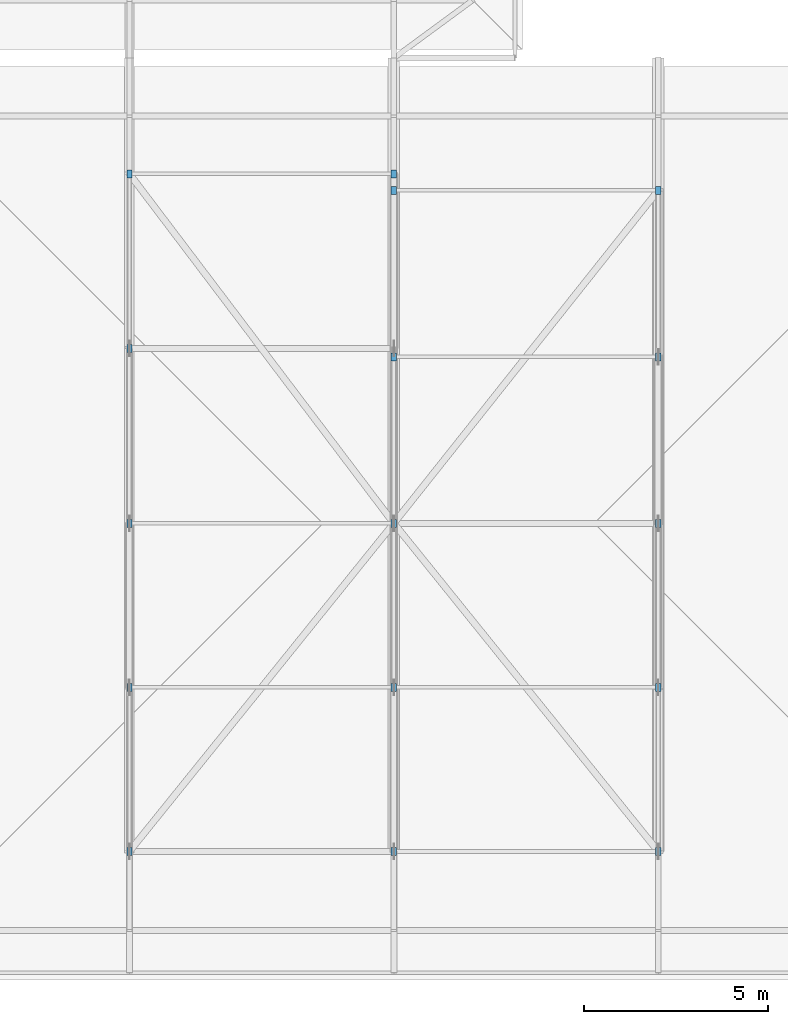
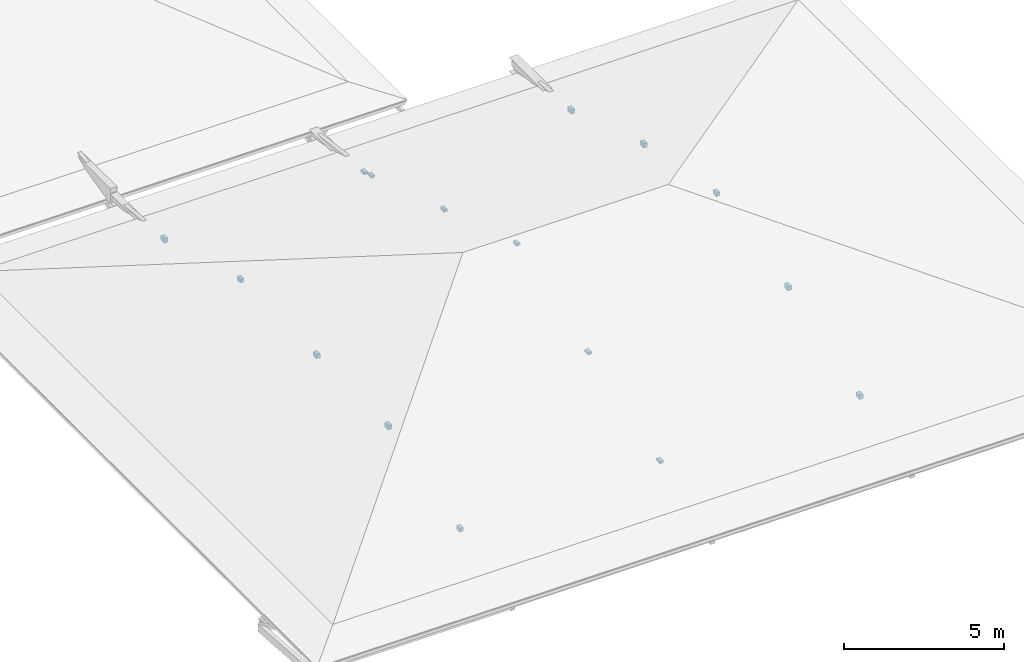
# One storey, part 10 of 19: 16 members.
"""IFC4 building model written with IfcOpenShell, lengths in metres."""

from ifc_helpers import new_model, si_unit, direction, frame, origin, origin_2d, place, context, subcontext, project, spatial, rectangle, extrude, material, material_profile, profile_set, type_object, element, save


model = new_model("IFC4")

# Units and contexts
model_context = context("Model", 3, precision=1e-05, world=origin(), true_north=direction((0.0, 1.0)))
body_context = subcontext(model_context, "Body", "Model", "MODEL_VIEW")
ifc_project = project(units=[si_unit("LENGTHUNIT", "METRE"), si_unit("AREAUNIT", "SQUARE_METRE"), si_unit("VOLUMEUNIT", "CUBIC_METRE"), si_unit("PLANEANGLEUNIT", "RADIAN"), si_unit("MASSUNIT", "GRAM", prefix="KILO")], contexts=[model_context])

# Site, building, storey
site_placement = place(None, origin())
site = spatial("IfcSite", under=ifc_project, at=site_placement, CompositionType="ELEMENT")
building_placement = place(site_placement, origin())
building = spatial("IfcBuilding", under=site, at=building_placement, Name="Steenspoor Specialist Clinic", CompositionType="ELEMENT")
storey_placement = place(building_placement, frame((0.0, 0.0, 21.60009765625)))
storey = spatial("IfcBuildingStorey", under=building, at=storey_placement, Name="L05", CompositionType="ELEMENT", Elevation=21.60009765625)

# Members
ifc_material = material(Name="Glulam GL28h", Category="wood")
ifc_material_profile = material_profile(ifc_material, rectangle(XDim=0.139892578125, YDim=0.219970703125, at=origin_2d()), Name="GL28H-140X220")
ifc_profile_set = profile_set([ifc_material_profile], Name="Glulam GL28h")
member_type = type_object("IfcMemberType", Name="MEM-RAFTER-GL220", PredefinedType="RAFTER", material=ifc_profile_set)
member_1_placement = place(storey_placement, frame((125.199951171875, 72.35009765625, 0.642333984375), z_axis=(0.0, 0.0, 1.0), x_axis=(1.0, 0.0, 0.0)))
element("IfcMember", 1, at=member_1_placement, inside=storey, type_object=member_type, Name="ROOF TRUSS Purlin Pack 537A", PredefinedType="RAFTER", context=body_context, shape_type="SweptSolid", body=[
    extrude(rectangle(XDim=0.139892578125, YDim=0.219970703125, at=origin_2d()), origin(), (0.0, 0.0, 1.0), 0.142333984375),
])
member_2_placement = place(storey_placement, frame((125.199951171875, 76.8173828125, 1.822021484375), z_axis=(0.0, 0.0, 1.0), x_axis=(1.0, 0.0, 0.0)))
element("IfcMember", 2, at=member_2_placement, inside=storey, type_object=member_type, Name="ROOF TRUSS Purlin Pack 538A", PredefinedType="RAFTER", context=body_context, shape_type="SweptSolid", body=[
    extrude(rectangle(XDim=0.139892578125, YDim=0.219970703125, at=origin_2d()), origin(), (0.0, 0.0, 1.0), 0.16650390625),
])
member_3_placement = place(storey_placement, frame((132.39990234375, 76.8173828125, 2.154541015625), z_axis=(0.0, 0.0, 1.0), x_axis=(1.0, 0.0, 0.0)))
element("IfcMember", 3, at=member_3_placement, inside=storey, type_object=member_type, Name="ROOF TRUSS Purlin Pack 538B", PredefinedType="RAFTER", context=body_context, shape_type="SweptSolid", body=[
    extrude(rectangle(XDim=0.139892578125, YDim=0.219970703125, at=origin_2d()), origin(), (0.0, 0.0, 1.0), 0.090576171875),
])
member_4_placement = place(storey_placement, frame((125.199951171875, 81.284912109375, 1.822021484375), z_axis=(0.0, 0.0, 1.0), x_axis=(1.0, 0.0, 0.0)))
element("IfcMember", 4, at=member_4_placement, inside=storey, type_object=member_type, Name="ROOF TRUSS Purlin Pack 539A", PredefinedType="RAFTER", context=body_context, shape_type="SweptSolid", body=[
    extrude(rectangle(XDim=0.139892578125, YDim=0.219970703125, at=origin_2d()), origin(), (0.0, 0.0, 1.0), 0.162841796875),
])
member_5_placement = place(storey_placement, frame((132.39990234375, 81.284912109375, 3.590576171875), z_axis=(0.0, 0.0, 1.0), x_axis=(1.0, 0.0, 0.0)))
element("IfcMember", 5, at=member_5_placement, inside=storey, type_object=member_type, Name="ROOF TRUSS Purlin Pack 539B", PredefinedType="RAFTER", context=body_context, shape_type="SweptSolid", body=[
    extrude(rectangle(XDim=0.139892578125, YDim=0.219970703125, at=origin_2d()), origin(), (0.0, 0.0, 1.0), 0.086669921875),
])
member_6_placement = place(storey_placement, frame((125.199951171875, 86.04248046875, 1.822021484375), z_axis=(0.0, 0.0, 1.0), x_axis=(1.0, 0.0, 0.0)))
element("IfcMember", 6, at=member_6_placement, inside=storey, type_object=member_type, Name="ROOF TRUSS Purlin Pack 540A", PredefinedType="RAFTER", context=body_context, shape_type="SweptSolid", body=[
    extrude(rectangle(XDim=0.139892578125, YDim=0.219970703125, at=origin_2d()), origin(), (0.0, 0.0, 1.0), 0.142333984375),
])
member_7_placement = place(storey_placement, frame((125.199951171875, 90.800048828125, 0.455810546875), z_axis=(0.0, 0.0, 1.0), x_axis=(1.0, 0.0, 0.0)))
element("IfcMember", 7, at=member_7_placement, inside=storey, type_object=member_type, Name="ROOF TRUSS Purlin Pack 541A", PredefinedType="RAFTER", context=body_context, shape_type="SweptSolid", body=[
    extrude(rectangle(XDim=0.139892578125, YDim=0.219970703125, at=origin_2d()), origin(), (0.0, 0.0, 1.0), 0.16650390625),
])
for number, where, z_axis, x_axis, name in (
    (8, (132.39990234375, 90.800048828125, 0.531982421875), (0.0, 0.0, 1.0), (1.0, 0.0, 0.0), "ROOF TRUSS Purlin Pack 541B"),
    (9, (132.39990234375, 72.35009765625, 0.718505859375), (0.0, 0.0, 1.0), (1.0, 0.0, 0.0), "ROOF TRUSS Purlin Pack 542A"),
):
    element("IfcMember", number, at=place(storey_placement, frame(where, z_axis=z_axis, x_axis=x_axis)), inside=storey, type_object=member_type, Name=name, PredefinedType="RAFTER", context=body_context, shape_type="SweptSolid", body=[
        extrude(rectangle(XDim=0.139892578125, YDim=0.219970703125, at=origin_2d()), origin(), (0.0, 0.0, 1.0), 0.09033203125),
    ])
member_8_placement = place(storey_placement, frame((139.60009765625, 72.35009765625, 0.642333984375), z_axis=(0.0, 0.0, 1.0), x_axis=(1.0, 0.0, 0.0)))
element("IfcMember", 10, at=member_8_placement, inside=storey, type_object=member_type, Name="ROOF TRUSS Purlin Pack 542B", PredefinedType="RAFTER", context=body_context, shape_type="SweptSolid", body=[
    extrude(rectangle(XDim=0.139892578125, YDim=0.219970703125, at=origin_2d()), origin(), (0.0, 0.0, 1.0), 0.16650390625),
])
member_9_placement = place(storey_placement, frame((139.60009765625, 76.8173828125, 2.078369140625), z_axis=(0.0, 0.0, 1.0), x_axis=(1.0, 0.0, 0.0)))
element("IfcMember", 11, at=member_9_placement, inside=storey, type_object=member_type, Name="ROOF TRUSS Purlin Pack 543B", PredefinedType="RAFTER", context=body_context, shape_type="SweptSolid", body=[
    extrude(rectangle(XDim=0.139892578125, YDim=0.219970703125, at=origin_2d()), origin(), (0.0, 0.0, 1.0), 0.162841796875),
])
member_10_placement = place(storey_placement, frame((139.60009765625, 81.284912109375, 2.956787109375), z_axis=(0.0, 0.0, 1.0), x_axis=(1.0, 0.0, 0.0)))
element("IfcMember", 12, at=member_10_placement, inside=storey, type_object=member_type, Name="ROOF TRUSS Purlin Pack 544B", PredefinedType="RAFTER", context=body_context, shape_type="SweptSolid", body=[
    extrude(rectangle(XDim=0.139892578125, YDim=0.219970703125, at=origin_2d()), origin(), (0.0, 0.0, 1.0), 0.142333984375),
])
member_11_placement = place(storey_placement, frame((132.39990234375, 85.8173828125, 2.133544921875), z_axis=(0.0, 0.0, 1.0), x_axis=(1.0, 0.0, 0.0)))
element("IfcMember", 13, at=member_11_placement, inside=storey, type_object=member_type, Name="ROOF TRUSS Purlin Pack 545A", PredefinedType="RAFTER", context=body_context, shape_type="SweptSolid", body=[
    extrude(rectangle(XDim=0.139892578125, YDim=0.219970703125, at=origin_2d()), origin(), (0.0, 0.0, 1.0), 0.090576171875),
])
member_12_placement = place(storey_placement, frame((139.60009765625, 85.8173828125, 2.0576171875), z_axis=(0.0, 0.0, 1.0), x_axis=(1.0, 0.0, 0.0)))
element("IfcMember", 14, at=member_12_placement, inside=storey, type_object=member_type, Name="ROOF TRUSS Purlin Pack 545B", PredefinedType="RAFTER", context=body_context, shape_type="SweptSolid", body=[
    extrude(rectangle(XDim=0.139892578125, YDim=0.219970703125, at=origin_2d()), origin(), (0.0, 0.0, 1.0), 0.16650390625),
])
member_13_placement = place(storey_placement, frame((132.39990234375, 90.35009765625, 0.676513671875), z_axis=(0.0, 0.0, 1.0), x_axis=(1.0, 0.0, 0.0)))
element("IfcMember", 15, at=member_13_placement, inside=storey, type_object=member_type, Name="ROOF TRUSS Purlin Pack 546A", PredefinedType="RAFTER", context=body_context, shape_type="SweptSolid", body=[
    extrude(rectangle(XDim=0.139892578125, YDim=0.219970703125, at=origin_2d()), origin(), (0.0, 0.0, 1.0), 0.086669921875),
])
member_14_placement = place(storey_placement, frame((139.60009765625, 90.35009765625, 0.6005859375), z_axis=(0.0, 0.0, 1.0), x_axis=(1.0, 0.0, 0.0)))
element("IfcMember", 16, at=member_14_placement, inside=storey, type_object=member_type, Name="ROOF TRUSS Purlin Pack 546B", PredefinedType="RAFTER", context=body_context, shape_type="SweptSolid", body=[
    extrude(rectangle(XDim=0.139892578125, YDim=0.219970703125, at=origin_2d()), origin(), (0.0, 0.0, 1.0), 0.16259765625),
])

save(model, "model.ifc")
